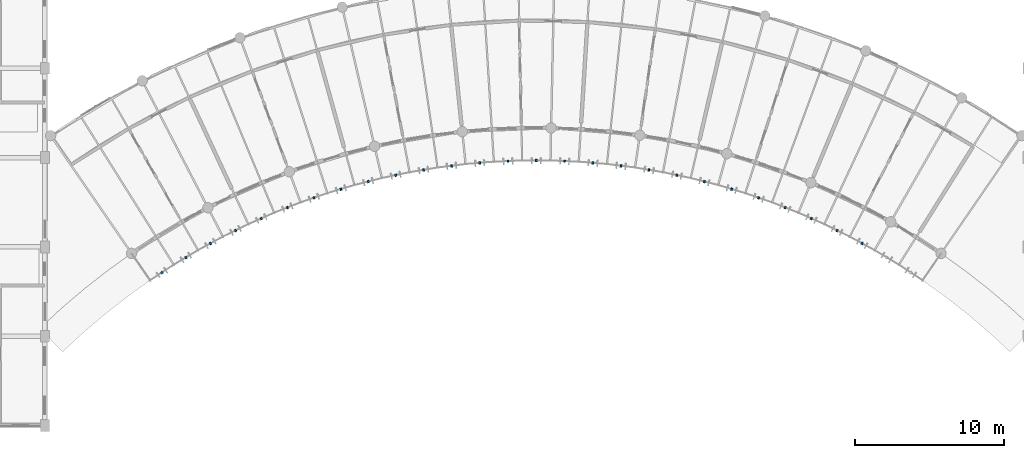
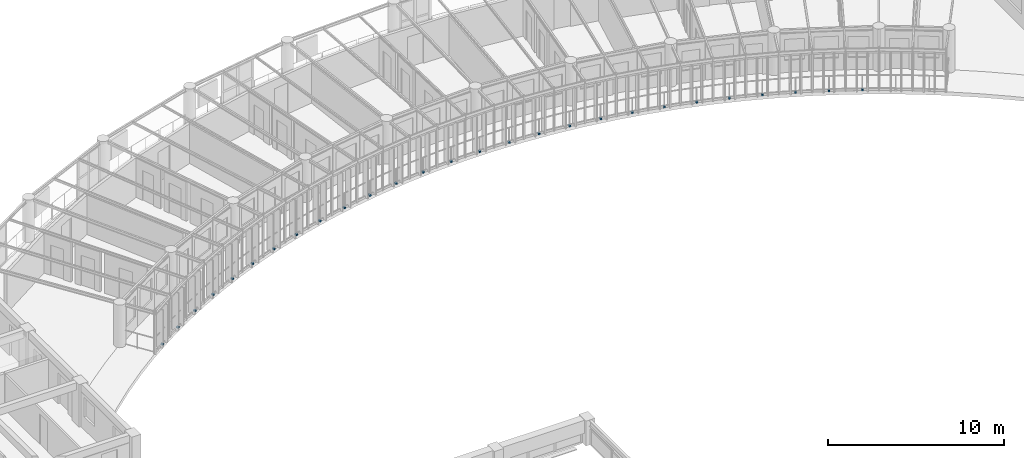
# One storey, part 120 of 137: 27 discrete accessories.
"""IFC4 building model written with IfcOpenShell, lengths in metres."""

from ifc_helpers import new_model, si_unit, direction, frame, origin, origin_2d, place, context, subcontext, project, spatial, rectangle, extrude, material, type_object, element, save


model = new_model("IFC4")

# Units and contexts
model_context = context("Model", 3, precision=1e-05, world=origin(), true_north=direction((0.0, 1.0)))
body_context = subcontext(model_context, "Body", "Model", "MODEL_VIEW")
ifc_project = project(units=[si_unit("LENGTHUNIT", "METRE"), si_unit("AREAUNIT", "SQUARE_METRE"), si_unit("VOLUMEUNIT", "CUBIC_METRE"), si_unit("PLANEANGLEUNIT", "RADIAN"), si_unit("MASSUNIT", "GRAM", prefix="KILO"), si_unit("POWERUNIT", "WATT"), si_unit("THERMODYNAMICTEMPERATUREUNIT", "KELVIN")], contexts=[model_context])

# Site, building, storey
site_placement = place(None, origin())
site = spatial("IfcSite", under=ifc_project, at=site_placement, CompositionType="ELEMENT")
building_placement = place(site_placement, origin())
building = spatial("IfcBuilding", under=site, at=building_placement, Name="Ruvembo Vaulted Housing Court", CompositionType="ELEMENT")
storey_placement = place(building_placement, frame((0.0, 0.0, 4.5)))
storey = spatial("IfcBuildingStorey", under=building, at=storey_placement, Name="L01", CompositionType="ELEMENT", Elevation=4.5)

# Discrete accessories
ifc_material = material(Name="Stainless Steel Grade 316", Category="steel")
discrete_accessory_type = type_object("IfcDiscreteAccessoryType", Name="ACC-BRACKET-SS", PredefinedType="BRACKET", material=ifc_material)
for number, where, z_axis, x_axis, name in (
    (1, (91.862060546875, 88.27294921875, 0.030029296875), (0.0, 0.0, 1.0), (0.548964466299, -0.835845688355, 0.0), "Stainless Louvre Rail Bracket #236"),
    (2, (93.471923828125, 89.283203125, 0.030029296875), (0.0, 0.0, 1.0), (0.513825768915, -0.857894561819, 0.0), "Stainless Louvre Rail Bracket #237"),
    (3, (95.122314453125, 90.2255859375, 0.030029296875), (0.0, 0.0, 1.0), (0.477787506376, -0.878475440038, 0.0), "Stainless Louvre Rail Bracket #238"),
    (4, (96.810546875, 91.098876953125, 0.030029296875), (0.0, 0.0, 1.0), (0.440910671447, -0.897550990086, 0.0), "Stainless Louvre Rail Bracket #239"),
    (5, (98.533447265625, 91.9013671875, 0.030029296875), (0.0, 0.0, 1.0), (0.403305746645, -0.915065284405, 0.0), "Stainless Louvre Rail Bracket #240"),
    (6, (100.288330078125, 92.631591796875, 0.030029296875), (0.0, 0.0, 1.0), (0.364958032896, -0.931023970811, 0.0), "Stainless Louvre Rail Bracket #241"),
    (7, (102.07177734375, 93.288330078125, 0.030029296875), (0.0, 0.0, 1.0), (0.326030183107, -0.945359360087, 0.0), "Stainless Louvre Rail Bracket #242"),
    (8, (103.881103515625, 93.87060546875, 0.030029296875), (0.0, 0.0, 1.0), (0.2864911095, -0.958082900472, 0.0), "Stainless Louvre Rail Bracket #243"),
    (9, (105.712890625, 94.377197265625, 0.030029296875), (0.0, 0.0, 1.0), (0.246491603437, -0.969144926951, 0.0), "Stainless Louvre Rail Bracket #244"),
    (10, (107.564208984375, 94.807373046875, 0.030029296875), (0.0, 0.0, 1.0), (0.206101715045, -0.978530573388, 0.0), "Stainless Louvre Rail Bracket #245"),
    (11, (109.431640625, 95.160400390625, 0.030029296875), (0.0, 0.0, 1.0), (0.165271382715, -0.986248128037, 0.0), "Stainless Louvre Rail Bracket #246"),
    (12, (111.3125, 95.435546875, 0.030029296875), (0.0, 0.0, 1.0), (0.12419031657, -0.992258416578, 0.0), "Stainless Louvre Rail Bracket #247"),
    (13, (113.202880859375, 95.63232421875, 0.030029296875), (0.0, 0.0, 1.0), (0.082895173943, -0.996558272324, 0.0), "Stainless Louvre Rail Bracket #248"),
    (14, (115.099853515625, 95.750732421875, 0.030029296875), (0.0, 0.0, 1.0), (0.041509453281, -0.999138111218, 0.0), "Stainless Louvre Rail Bracket #249"),
    (15, (117.0, 95.7900390625, 0.030029296875), (0.0, 0.0, 1.0), (0.0, -1.0, 0.0), "Stainless Louvre Rail Bracket #250"),
    (16, (118.900146484375, 95.750732421875, 0.030029296875), (0.0, 0.0, 1.0), (-0.041509453281, -0.999138111218, 0.0), "Stainless Louvre Rail Bracket #251"),
    (17, (120.797119140625, 95.63232421875, 0.030029296875), (0.0, 0.0, 1.0), (-0.082895173943, -0.996558272324, 0.0), "Stainless Louvre Rail Bracket #252"),
    (18, (122.6875, 95.435546875, 0.030029296875), (0.0, 0.0, 1.0), (-0.12419031657, -0.992258416578, 0.0), "Stainless Louvre Rail Bracket #253"),
    (19, (124.568359375, 95.160400390625, 0.030029296875), (0.0, 0.0, 1.0), (-0.165271382715, -0.986248128037, 0.0), "Stainless Louvre Rail Bracket #254"),
    (20, (126.435791015625, 94.807373046875, 0.030029296875), (0.0, 0.0, 1.0), (-0.206101715045, -0.978530573388, 0.0), "Stainless Louvre Rail Bracket #255"),
    (21, (128.287109375, 94.377197265625, 0.030029296875), (0.0, 0.0, 1.0), (-0.246491603437, -0.969144926951, 0.0), "Stainless Louvre Rail Bracket #256"),
    (22, (130.118896484375, 93.87060546875, 0.030029296875), (0.0, 0.0, 1.0), (-0.2864911095, -0.958082900472, 0.0), "Stainless Louvre Rail Bracket #257"),
    (23, (131.92822265625, 93.288330078125, 0.030029296875), (0.0, 0.0, 1.0), (-0.326030183107, -0.945359360087, 0.0), "Stainless Louvre Rail Bracket #258"),
    (24, (133.711669921875, 92.631591796875, 0.030029296875), (0.0, 0.0, 1.0), (-0.364958032896, -0.931023970811, 0.0), "Stainless Louvre Rail Bracket #259"),
    (25, (135.466552734375, 91.9013671875, 0.030029296875), (0.0, 0.0, 1.0), (-0.403305746645, -0.915065284405, 0.0), "Stainless Louvre Rail Bracket #260"),
    (26, (137.189453125, 91.098876953125, 0.030029296875), (0.0, 0.0, 1.0), (-0.440910671447, -0.897550990086, 0.0), "Stainless Louvre Rail Bracket #261"),
    (27, (138.877685546875, 90.2255859375, 0.030029296875), (0.0, 0.0, 1.0), (-0.477787506376, -0.878475440038, 0.0), "Stainless Louvre Rail Bracket #262"),
):
    element("IfcDiscreteAccessory", number, at=place(storey_placement, frame(where, z_axis=z_axis, x_axis=x_axis)), inside=storey, type_object=discrete_accessory_type, Name=name, PredefinedType="BRACKET", context=body_context, shape_type="SweptSolid", body=[
        extrude(rectangle(XDim=0.159912109375, YDim=0.1201171875, at=origin_2d()), origin(), (0.0, 0.0, 1.0), 0.10009765625),
    ])

save(model, "model.ifc")
